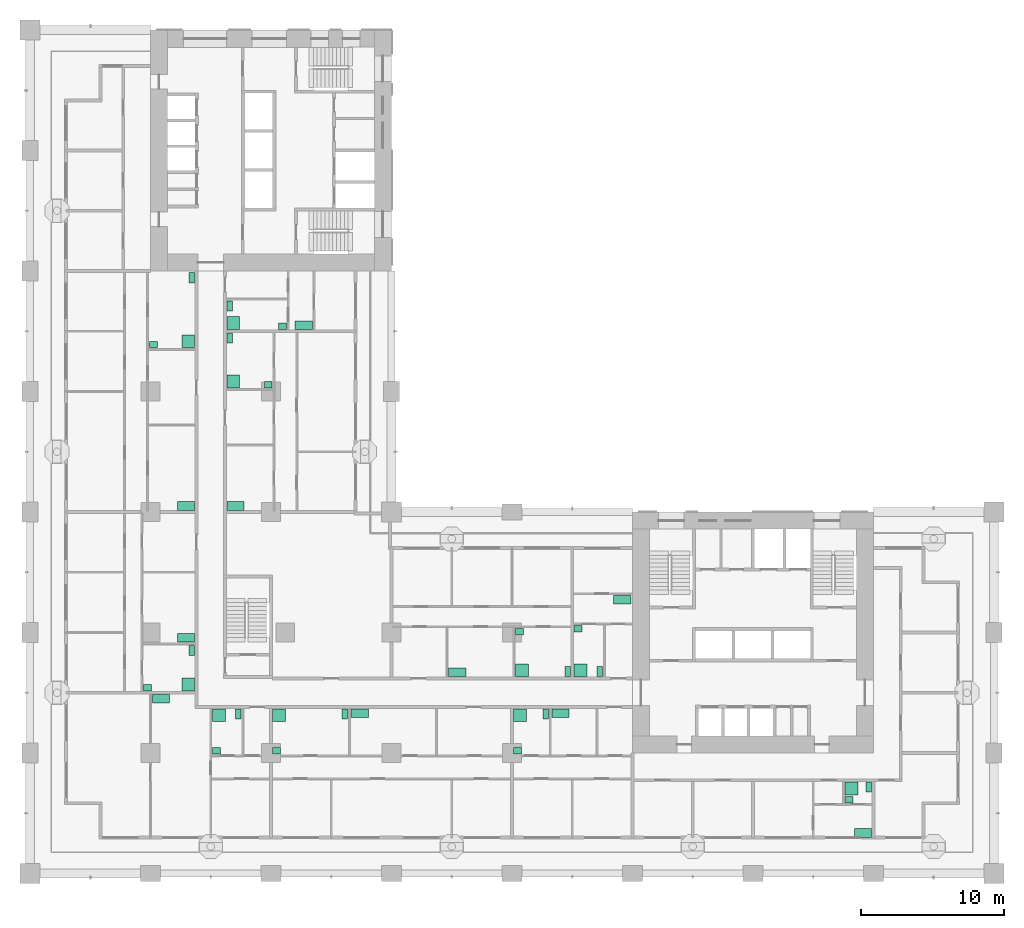
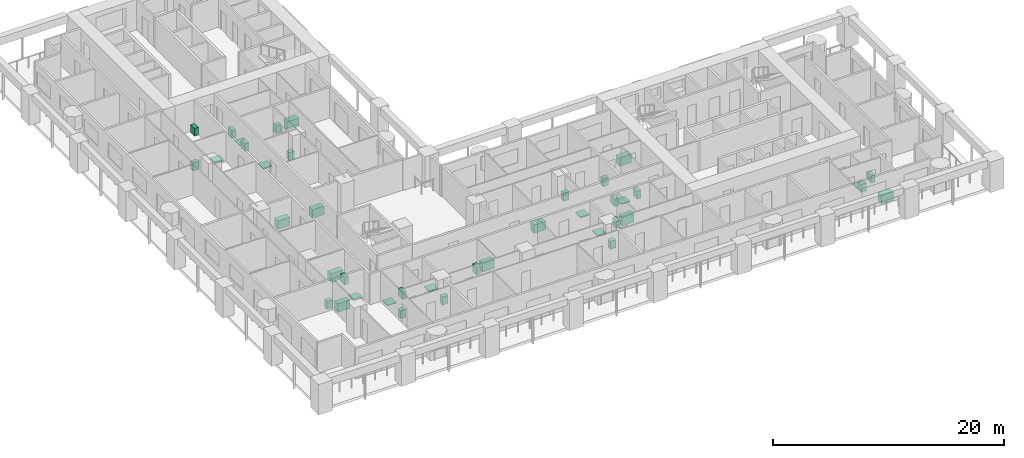
# One storey, part 18 of 20: 40 sanitary terminals.
"""IFC4 building model written with IfcOpenShell, lengths in metres."""

from ifc_helpers import new_model, si_unit, direction, frame, origin, origin_2d, place, context, subcontext, project, spatial, rectangle, extrude, material, element, save


model = new_model("IFC4")

# Units and contexts
model_context = context("Model", 3, precision=1e-05, world=origin(), true_north=direction((0.0, 1.0)))
body_context = subcontext(model_context, "Body", "Model", "MODEL_VIEW")
ifc_project = project(units=[si_unit("LENGTHUNIT", "METRE"), si_unit("AREAUNIT", "SQUARE_METRE"), si_unit("VOLUMEUNIT", "CUBIC_METRE"), si_unit("PLANEANGLEUNIT", "RADIAN"), si_unit("MASSUNIT", "GRAM", prefix="KILO")], contexts=[model_context])

# Site, building, storey
site_placement = place(None, origin())
site = spatial("IfcSite", under=ifc_project, at=site_placement, CompositionType="ELEMENT")
building_placement = place(site_placement, origin())
building = spatial("IfcBuilding", under=site, at=building_placement, Name="Vermilion Gate Residences", CompositionType="ELEMENT")
storey_placement = place(building_placement, frame((0.0, 0.0, 42.699951171875)))
storey = spatial("IfcBuildingStorey", under=building, at=storey_placement, Name="L09", CompositionType="ELEMENT", Elevation=42.699951171875)

# Sanitary terminals
ifc_material_1 = material(Name="Stainless steel", Category="steel")
sanitary_terminal_1_placement = place(storey_placement, frame((9.1201171875, 12.179931640625, 0.0), z_axis=(0.0, 0.0, 1.0), x_axis=(1.0, 0.0, 0.0)))
element("IfcSanitaryTerminal", 1, at=sanitary_terminal_1_placement, inside=storey, material=ifc_material_1, Name="Kitchen sink", PredefinedType="SINK", context=body_context, shape_type="SweptSolid", body=[
    extrude(rectangle(XDim=1.199951171875, YDim=0.60009765625, at=origin_2d()), origin(), (0.0, 0.0, 1.0), 0.89990234375),
])
ifc_material_2 = material(Name="Vitreous china")
sanitary_terminal_2_placement = place(storey_placement, frame((13.169921875, 11.030029296875, 0.0), z_axis=(0.0, 0.0, 1.0), x_axis=(1.0, 0.0, 0.0)))
element("IfcSanitaryTerminal", 2, at=sanitary_terminal_2_placement, inside=storey, material=ifc_material_2, Name="Shower tray", PredefinedType="SHOWER", context=body_context, shape_type="SweptSolid", body=[
    extrude(rectangle(XDim=0.89990234375, YDim=0.89990234375, at=origin_2d()), origin(), (0.0, 0.0, 1.0), 0.10009765625),
])
sanitary_terminal_3_placement = place(storey_placement, frame((14.52001953125, 11.1298828125, 0.0), z_axis=(0.0, 0.0, 1.0), x_axis=(1.0, 0.0, 0.0)))
element("IfcSanitaryTerminal", 3, at=sanitary_terminal_3_placement, inside=storey, material=ifc_material_2, Name="Toilet", PredefinedType="TOILETPAN", context=body_context, shape_type="SweptSolid", body=[
    extrude(rectangle(XDim=0.39990234375, YDim=0.699951171875, at=origin_2d()), origin(), (0.0, 0.0, 1.0), 0.800048828125),
])
sanitary_terminal_4_placement = place(storey_placement, frame((12.9951171875, 8.544921875, 0.0), z_axis=(0.0, 0.0, 1.0), x_axis=(1.0, 0.0, 0.0)))
element("IfcSanitaryTerminal", 4, at=sanitary_terminal_4_placement, inside=storey, material=ifc_material_2, Name="Wash basin", PredefinedType="WASHHANDBASIN", context=body_context, shape_type="SweptSolid", body=[
    extrude(rectangle(XDim=0.550048828125, YDim=0.449951171875, at=origin_2d()), origin(), (0.0, 0.0, 1.0), 0.85009765625),
])
sanitary_terminal_5_placement = place(storey_placement, frame((17.3701171875, 11.030029296875, 0.0), z_axis=(0.0, 0.0, 1.0), x_axis=(1.0, 0.0, 0.0)))
element("IfcSanitaryTerminal", 5, at=sanitary_terminal_5_placement, inside=storey, material=ifc_material_2, Name="Shower tray", PredefinedType="SHOWER", context=body_context, shape_type="SweptSolid", body=[
    extrude(rectangle(XDim=0.89990234375, YDim=0.89990234375, at=origin_2d()), origin(), (0.0, 0.0, 1.0), 0.10009765625),
])
sanitary_terminal_6_placement = place(storey_placement, frame((21.947021484375, 11.1298828125, 0.0), z_axis=(0.0, 0.0, 1.0), x_axis=(1.0, 0.0, 0.0)))
element("IfcSanitaryTerminal", 6, at=sanitary_terminal_6_placement, inside=storey, material=ifc_material_2, Name="Toilet", PredefinedType="TOILETPAN", context=body_context, shape_type="SweptSolid", body=[
    extrude(rectangle(XDim=0.39990234375, YDim=0.699951171875, at=origin_2d()), origin(), (0.0, 0.0, 1.0), 0.800048828125),
])
sanitary_terminal_7_placement = place(storey_placement, frame((17.195068359375, 8.544921875, 0.0), z_axis=(0.0, 0.0, 1.0), x_axis=(1.0, 0.0, 0.0)))
element("IfcSanitaryTerminal", 7, at=sanitary_terminal_7_placement, inside=storey, material=ifc_material_2, Name="Wash basin", PredefinedType="WASHHANDBASIN", context=body_context, shape_type="SweptSolid", body=[
    extrude(rectangle(XDim=0.550048828125, YDim=0.449951171875, at=origin_2d()), origin(), (0.0, 0.0, 1.0), 0.85009765625),
])
sanitary_terminal_8_placement = place(storey_placement, frame((22.987060546875, 11.179931640625, 0.0), z_axis=(0.0, 0.0, 1.0), x_axis=(1.0, 0.0, 0.0)))
element("IfcSanitaryTerminal", 8, at=sanitary_terminal_8_placement, inside=storey, material=ifc_material_1, Name="Kitchen sink", PredefinedType="SINK", context=body_context, shape_type="SweptSolid", body=[
    extrude(rectangle(XDim=1.199951171875, YDim=0.60009765625, at=origin_2d()), origin(), (0.0, 0.0, 1.0), 0.89990234375),
])
sanitary_terminal_9_placement = place(storey_placement, frame((34.169921875, 11.030029296875, 0.0), z_axis=(0.0, 0.0, 1.0), x_axis=(1.0, 0.0, 0.0)))
element("IfcSanitaryTerminal", 9, at=sanitary_terminal_9_placement, inside=storey, material=ifc_material_2, Name="Shower tray", PredefinedType="SHOWER", context=body_context, shape_type="SweptSolid", body=[
    extrude(rectangle(XDim=0.89990234375, YDim=0.89990234375, at=origin_2d()), origin(), (0.0, 0.0, 1.0), 0.10009765625),
])
sanitary_terminal_10_placement = place(storey_placement, frame((35.947021484375, 11.1298828125, 0.0), z_axis=(0.0, 0.0, 1.0), x_axis=(1.0, 0.0, 0.0)))
element("IfcSanitaryTerminal", 10, at=sanitary_terminal_10_placement, inside=storey, material=ifc_material_2, Name="Toilet", PredefinedType="TOILETPAN", context=body_context, shape_type="SweptSolid", body=[
    extrude(rectangle(XDim=0.39990234375, YDim=0.699951171875, at=origin_2d()), origin(), (0.0, 0.0, 1.0), 0.800048828125),
])
sanitary_terminal_11_placement = place(storey_placement, frame((33.9951171875, 8.544921875, 0.0), z_axis=(0.0, 0.0, 1.0), x_axis=(1.0, 0.0, 0.0)))
element("IfcSanitaryTerminal", 11, at=sanitary_terminal_11_placement, inside=storey, material=ifc_material_2, Name="Wash basin", PredefinedType="WASHHANDBASIN", context=body_context, shape_type="SweptSolid", body=[
    extrude(rectangle(XDim=0.550048828125, YDim=0.449951171875, at=origin_2d()), origin(), (0.0, 0.0, 1.0), 0.85009765625),
])
for number, where, z_axis, x_axis, name in (
    (12, (36.987060546875, 11.179931640625, 0.0), (0.0, 0.0, 1.0), (1.0, 0.0, 0.0), "Kitchen sink"),
    (13, (29.787109375, 14.02001953125, 0.0), (0.0, 0.0, 1.0), (1.0, 0.0, 0.0), "Kitchen sink"),
):
    element("IfcSanitaryTerminal", number, at=place(storey_placement, frame(where, z_axis=z_axis, x_axis=x_axis)), inside=storey, material=ifc_material_1, Name=name, PredefinedType="SINK", context=body_context, shape_type="SweptSolid", body=[
        extrude(rectangle(XDim=1.199951171875, YDim=0.60009765625, at=origin_2d()), origin(), (0.0, 0.0, 1.0), 0.89990234375),
    ])
sanitary_terminal_12_placement = place(storey_placement, frame((34.302978515625, 14.169921875, 0.0), z_axis=(0.0, 0.0, 1.0), x_axis=(1.0, 0.0, 0.0)))
element("IfcSanitaryTerminal", 14, at=sanitary_terminal_12_placement, inside=storey, material=ifc_material_2, Name="Shower tray", PredefinedType="SHOWER", context=body_context, shape_type="SweptSolid", body=[
    extrude(rectangle(XDim=0.89990234375, YDim=0.89990234375, at=origin_2d()), origin(), (0.0, 0.0, 1.0), 0.10009765625),
])
sanitary_terminal_13_placement = place(storey_placement, frame((37.47998046875, 14.070068359375, 0.0), z_axis=(0.0, 0.0, 1.0), x_axis=(1.0, 0.0, 0.0)))
element("IfcSanitaryTerminal", 15, at=sanitary_terminal_13_placement, inside=storey, material=ifc_material_2, Name="Toilet", PredefinedType="TOILETPAN", context=body_context, shape_type="SweptSolid", body=[
    extrude(rectangle(XDim=0.39990234375, YDim=0.699951171875, at=origin_2d()), origin(), (0.0, 0.0, 1.0), 0.800048828125),
])
sanitary_terminal_14_placement = place(storey_placement, frame((34.1279296875, 16.85498046875, 0.0), z_axis=(0.0, 0.0, 1.0), x_axis=(1.0, 0.0, 0.0)))
element("IfcSanitaryTerminal", 16, at=sanitary_terminal_14_placement, inside=storey, material=ifc_material_2, Name="Wash basin", PredefinedType="WASHHANDBASIN", context=body_context, shape_type="SweptSolid", body=[
    extrude(rectangle(XDim=0.550048828125, YDim=0.449951171875, at=origin_2d()), origin(), (0.0, 0.0, 1.0), 0.85009765625),
])
sanitary_terminal_15_placement = place(storey_placement, frame((41.280029296875, 19.080078125, 0.0), z_axis=(0.0, 0.0, 1.0), x_axis=(1.0, 0.0, 0.0)))
element("IfcSanitaryTerminal", 17, at=sanitary_terminal_15_placement, inside=storey, material=ifc_material_1, Name="Kitchen sink", PredefinedType="SINK", context=body_context, shape_type="SweptSolid", body=[
    extrude(rectangle(XDim=1.199951171875, YDim=0.60009765625, at=origin_2d()), origin(), (0.0, 0.0, 1.0), 0.89990234375),
])
sanitary_terminal_16_placement = place(storey_placement, frame((38.3701171875, 14.169921875, 0.0), z_axis=(0.0, 0.0, 1.0), x_axis=(1.0, 0.0, 0.0)))
element("IfcSanitaryTerminal", 18, at=sanitary_terminal_16_placement, inside=storey, material=ifc_material_2, Name="Shower tray", PredefinedType="SHOWER", context=body_context, shape_type="SweptSolid", body=[
    extrude(rectangle(XDim=0.89990234375, YDim=0.89990234375, at=origin_2d()), origin(), (0.0, 0.0, 1.0), 0.10009765625),
])
sanitary_terminal_17_placement = place(storey_placement, frame((39.719970703125, 14.070068359375, 0.0), z_axis=(0.0, 0.0, 1.0), x_axis=(1.0, 0.0, 0.0)))
element("IfcSanitaryTerminal", 19, at=sanitary_terminal_17_placement, inside=storey, material=ifc_material_2, Name="Toilet", PredefinedType="TOILETPAN", context=body_context, shape_type="SweptSolid", body=[
    extrude(rectangle(XDim=0.39990234375, YDim=0.699951171875, at=origin_2d()), origin(), (0.0, 0.0, 1.0), 0.800048828125),
])
sanitary_terminal_18_placement = place(storey_placement, frame((38.195068359375, 17.054931640625, 0.0), z_axis=(0.0, 0.0, 1.0), x_axis=(1.0, 0.0, 0.0)))
element("IfcSanitaryTerminal", 20, at=sanitary_terminal_18_placement, inside=storey, material=ifc_material_2, Name="Wash basin", PredefinedType="WASHHANDBASIN", context=body_context, shape_type="SweptSolid", body=[
    extrude(rectangle(XDim=0.550048828125, YDim=0.449951171875, at=origin_2d()), origin(), (0.0, 0.0, 1.0), 0.85009765625),
])
sanitary_terminal_19_placement = place(storey_placement, frame((11.030029296875, 13.169921875, 0.0), z_axis=(0.0, 0.0, 1.0), x_axis=(1.0, 0.0, 0.0)))
element("IfcSanitaryTerminal", 21, at=sanitary_terminal_19_placement, inside=storey, material=ifc_material_2, Name="Shower tray", PredefinedType="SHOWER", context=body_context, shape_type="SweptSolid", body=[
    extrude(rectangle(XDim=0.89990234375, YDim=0.89990234375, at=origin_2d()), origin(), (0.0, 0.0, 1.0), 0.10009765625),
])
sanitary_terminal_20_placement = place(storey_placement, frame((11.280029296875, 15.530029296875, 0.0), z_axis=(0.0, 0.0, 1.0), x_axis=(1.0, 0.0, 0.0)))
element("IfcSanitaryTerminal", 22, at=sanitary_terminal_20_placement, inside=storey, material=ifc_material_2, Name="Toilet", PredefinedType="TOILETPAN", context=body_context, shape_type="SweptSolid", body=[
    extrude(rectangle(XDim=0.39990234375, YDim=0.699951171875, at=origin_2d()), origin(), (0.0, 0.0, 1.0), 0.800048828125),
])
sanitary_terminal_21_placement = place(storey_placement, frame((8.195068359375, 12.945068359375, 0.0), z_axis=(0.0, 0.0, 1.0), x_axis=(1.0, 0.0, 0.0)))
element("IfcSanitaryTerminal", 23, at=sanitary_terminal_21_placement, inside=storey, material=ifc_material_2, Name="Wash basin", PredefinedType="WASHHANDBASIN", context=body_context, shape_type="SweptSolid", body=[
    extrude(rectangle(XDim=0.550048828125, YDim=0.449951171875, at=origin_2d()), origin(), (0.0, 0.0, 1.0), 0.85009765625),
])
for number, where, z_axis, x_axis, name in (
    (24, (10.8798828125, 16.419921875, 0.0), (0.0, 0.0, 1.0), (1.0, 0.0, 0.0), "Kitchen sink"),
    (25, (10.8798828125, 25.6201171875, 0.0), (0.0, 0.0, 1.0), (1.0, 0.0, 0.0), "Kitchen sink"),
):
    element("IfcSanitaryTerminal", number, at=place(storey_placement, frame(where, z_axis=z_axis, x_axis=x_axis)), inside=storey, material=ifc_material_1, Name=name, PredefinedType="SINK", context=body_context, shape_type="SweptSolid", body=[
        extrude(rectangle(XDim=1.199951171875, YDim=0.60009765625, at=origin_2d()), origin(), (0.0, 0.0, 1.0), 0.89990234375),
    ])
sanitary_terminal_22_placement = place(storey_placement, frame((11.030029296875, 37.10302734375, 0.0), z_axis=(0.0, 0.0, 1.0), x_axis=(1.0, 0.0, 0.0)))
element("IfcSanitaryTerminal", 26, at=sanitary_terminal_22_placement, inside=storey, material=ifc_material_2, Name="Shower tray", PredefinedType="SHOWER", context=body_context, shape_type="SweptSolid", body=[
    extrude(rectangle(XDim=0.89990234375, YDim=0.89990234375, at=origin_2d()), origin(), (0.0, 0.0, 1.0), 0.10009765625),
])
sanitary_terminal_23_placement = place(storey_placement, frame((11.280029296875, 41.530029296875, 0.0), z_axis=(0.0, 0.0, 1.0), x_axis=(1.0, 0.0, 0.0)))
element("IfcSanitaryTerminal", 27, at=sanitary_terminal_23_placement, inside=storey, material=ifc_material_2, Name="Toilet", PredefinedType="TOILETPAN", context=body_context, shape_type="SweptSolid", body=[
    extrude(rectangle(XDim=0.39990234375, YDim=0.699951171875, at=origin_2d()), origin(), (0.0, 0.0, 1.0), 0.800048828125),
])
sanitary_terminal_24_placement = place(storey_placement, frame((8.594970703125, 36.8779296875, 0.0), z_axis=(0.0, 0.0, 1.0), x_axis=(1.0, 0.0, 0.0)))
element("IfcSanitaryTerminal", 28, at=sanitary_terminal_24_placement, inside=storey, material=ifc_material_2, Name="Wash basin", PredefinedType="WASHHANDBASIN", context=body_context, shape_type="SweptSolid", body=[
    extrude(rectangle(XDim=0.550048828125, YDim=0.449951171875, at=origin_2d()), origin(), (0.0, 0.0, 1.0), 0.85009765625),
])
sanitary_terminal_25_placement = place(storey_placement, frame((14.320068359375, 25.6201171875, 0.0), z_axis=(0.0, 0.0, 1.0), x_axis=(1.0, 0.0, 0.0)))
element("IfcSanitaryTerminal", 29, at=sanitary_terminal_25_placement, inside=storey, material=ifc_material_1, Name="Kitchen sink", PredefinedType="SINK", context=body_context, shape_type="SweptSolid", body=[
    extrude(rectangle(XDim=1.199951171875, YDim=0.60009765625, at=origin_2d()), origin(), (0.0, 0.0, 1.0), 0.89990234375),
])
sanitary_terminal_26_placement = place(storey_placement, frame((14.169921875, 34.302978515625, 0.0), z_axis=(0.0, 0.0, 1.0), x_axis=(1.0, 0.0, 0.0)))
element("IfcSanitaryTerminal", 30, at=sanitary_terminal_26_placement, inside=storey, material=ifc_material_2, Name="Shower tray", PredefinedType="SHOWER", context=body_context, shape_type="SweptSolid", body=[
    extrude(rectangle(XDim=0.89990234375, YDim=0.89990234375, at=origin_2d()), origin(), (0.0, 0.0, 1.0), 0.10009765625),
])
sanitary_terminal_27_placement = place(storey_placement, frame((13.919921875, 37.330078125, 0.0), z_axis=(0.0, 0.0, 1.0), x_axis=(1.0, 0.0, 0.0)))
element("IfcSanitaryTerminal", 31, at=sanitary_terminal_27_placement, inside=storey, material=ifc_material_2, Name="Toilet", PredefinedType="TOILETPAN", context=body_context, shape_type="SweptSolid", body=[
    extrude(rectangle(XDim=0.39990234375, YDim=0.699951171875, at=origin_2d()), origin(), (0.0, 0.0, 1.0), 0.800048828125),
])
sanitary_terminal_28_placement = place(storey_placement, frame((16.60498046875, 34.077880859375, 0.0), z_axis=(0.0, 0.0, 1.0), x_axis=(1.0, 0.0, 0.0)))
element("IfcSanitaryTerminal", 32, at=sanitary_terminal_28_placement, inside=storey, material=ifc_material_2, Name="Wash basin", PredefinedType="WASHHANDBASIN", context=body_context, shape_type="SweptSolid", body=[
    extrude(rectangle(XDim=0.550048828125, YDim=0.449951171875, at=origin_2d()), origin(), (0.0, 0.0, 1.0), 0.85009765625),
])
sanitary_terminal_29_placement = place(storey_placement, frame((19.080078125, 38.219970703125, 0.0), z_axis=(0.0, 0.0, 1.0), x_axis=(1.0, 0.0, 0.0)))
element("IfcSanitaryTerminal", 33, at=sanitary_terminal_29_placement, inside=storey, material=ifc_material_1, Name="Kitchen sink", PredefinedType="SINK", context=body_context, shape_type="SweptSolid", body=[
    extrude(rectangle(XDim=1.199951171875, YDim=0.60009765625, at=origin_2d()), origin(), (0.0, 0.0, 1.0), 0.89990234375),
])
sanitary_terminal_30_placement = place(storey_placement, frame((14.169921875, 38.3701171875, 0.0), z_axis=(0.0, 0.0, 1.0), x_axis=(1.0, 0.0, 0.0)))
element("IfcSanitaryTerminal", 34, at=sanitary_terminal_30_placement, inside=storey, material=ifc_material_2, Name="Shower tray", PredefinedType="SHOWER", context=body_context, shape_type="SweptSolid", body=[
    extrude(rectangle(XDim=0.89990234375, YDim=0.89990234375, at=origin_2d()), origin(), (0.0, 0.0, 1.0), 0.10009765625),
])
sanitary_terminal_31_placement = place(storey_placement, frame((13.919921875, 39.570068359375, 0.0), z_axis=(0.0, 0.0, 1.0), x_axis=(1.0, 0.0, 0.0)))
element("IfcSanitaryTerminal", 35, at=sanitary_terminal_31_placement, inside=storey, material=ifc_material_2, Name="Toilet", PredefinedType="TOILETPAN", context=body_context, shape_type="SweptSolid", body=[
    extrude(rectangle(XDim=0.39990234375, YDim=0.699951171875, at=origin_2d()), origin(), (0.0, 0.0, 1.0), 0.800048828125),
])
sanitary_terminal_32_placement = place(storey_placement, frame((17.60498046875, 38.14501953125, 0.0), z_axis=(0.0, 0.0, 1.0), x_axis=(1.0, 0.0, 0.0)))
element("IfcSanitaryTerminal", 36, at=sanitary_terminal_32_placement, inside=storey, material=ifc_material_2, Name="Wash basin", PredefinedType="WASHHANDBASIN", context=body_context, shape_type="SweptSolid", body=[
    extrude(rectangle(XDim=0.550048828125, YDim=0.449951171875, at=origin_2d()), origin(), (0.0, 0.0, 1.0), 0.85009765625),
])
sanitary_terminal_33_placement = place(storey_placement, frame((58.080078125, 2.820068359375, 0.0), z_axis=(0.0, 0.0, 1.0), x_axis=(1.0, 0.0, 0.0)))
element("IfcSanitaryTerminal", 37, at=sanitary_terminal_33_placement, inside=storey, material=ifc_material_1, Name="Kitchen sink", PredefinedType="SINK", context=body_context, shape_type="SweptSolid", body=[
    extrude(rectangle(XDim=1.199951171875, YDim=0.60009765625, at=origin_2d()), origin(), (0.0, 0.0, 1.0), 0.89990234375),
])
sanitary_terminal_34_placement = place(storey_placement, frame((57.27001953125, 5.929931640625, 0.0), z_axis=(0.0, 0.0, 1.0), x_axis=(1.0, 0.0, 0.0)))
element("IfcSanitaryTerminal", 38, at=sanitary_terminal_34_placement, inside=storey, material=ifc_material_2, Name="Shower tray", PredefinedType="SHOWER", context=body_context, shape_type="SweptSolid", body=[
    extrude(rectangle(XDim=0.89990234375, YDim=0.89990234375, at=origin_2d()), origin(), (0.0, 0.0, 1.0), 0.10009765625),
])
sanitary_terminal_35_placement = place(storey_placement, frame((58.47998046875, 6.030029296875, 0.0), z_axis=(0.0, 0.0, 1.0), x_axis=(1.0, 0.0, 0.0)))
element("IfcSanitaryTerminal", 39, at=sanitary_terminal_35_placement, inside=storey, material=ifc_material_2, Name="Toilet", PredefinedType="TOILETPAN", context=body_context, shape_type="SweptSolid", body=[
    extrude(rectangle(XDim=0.39990234375, YDim=0.699951171875, at=origin_2d()), origin(), (0.0, 0.0, 1.0), 0.800048828125),
])
sanitary_terminal_36_placement = place(storey_placement, frame((57.094970703125, 5.14501953125, 0.0), z_axis=(0.0, 0.0, 1.0), x_axis=(1.0, 0.0, 0.0)))
element("IfcSanitaryTerminal", 40, at=sanitary_terminal_36_placement, inside=storey, material=ifc_material_2, Name="Wash basin", PredefinedType="WASHHANDBASIN", context=body_context, shape_type="SweptSolid", body=[
    extrude(rectangle(XDim=0.550048828125, YDim=0.449951171875, at=origin_2d()), origin(), (0.0, 0.0, 1.0), 0.85009765625),
])

save(model, "model.ifc")
